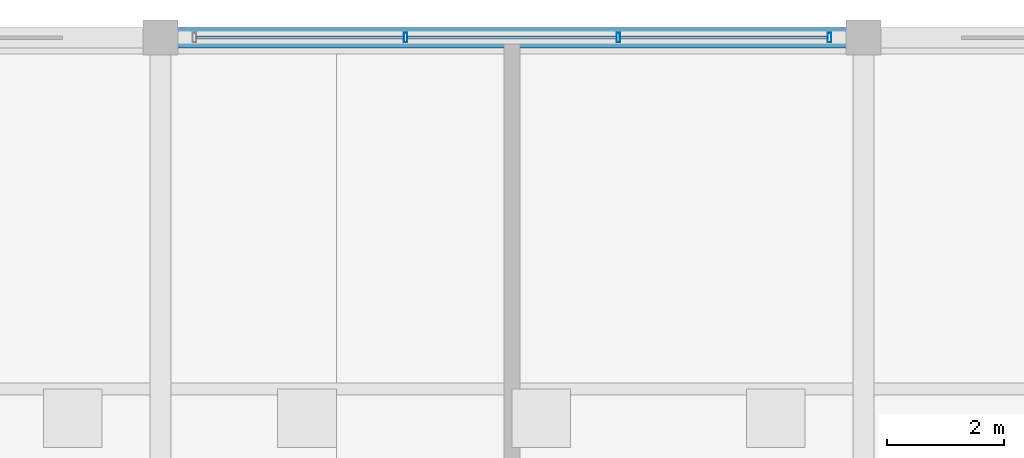
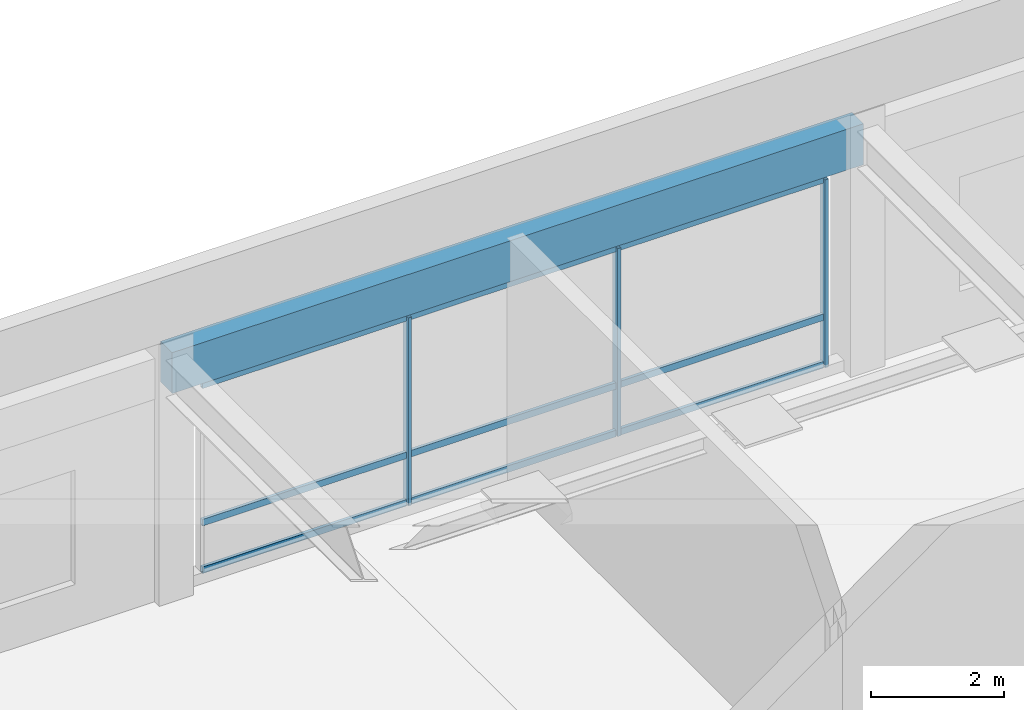
# One storey, part 11 of 16: 12 members, 1 beam, 1 element without a shape of its own.
"""IFC4 building model written with IfcOpenShell, lengths in metres."""

from ifc_helpers import new_model, si_unit, direction, frame, origin, origin_2d, place, context, subcontext, project, spatial, rectangle, hollow_rectangle, extrude, material, material_profile, profile_set, type_object, element, aggregate, save


model = new_model("IFC4")

# Units and contexts
model_context = context("Model", 3, precision=1e-05, world=origin(), true_north=direction((0.0, 1.0)))
body_context = subcontext(model_context, "Body", "Model", "MODEL_VIEW")
ifc_project = project(units=[si_unit("LENGTHUNIT", "METRE"), si_unit("AREAUNIT", "SQUARE_METRE"), si_unit("VOLUMEUNIT", "CUBIC_METRE"), si_unit("PLANEANGLEUNIT", "RADIAN"), si_unit("MASSUNIT", "GRAM", prefix="KILO")], contexts=[model_context])

# Site, building, storey
site_placement = place(None, origin())
site = spatial("IfcSite", under=ifc_project, at=site_placement, CompositionType="ELEMENT")
building_placement = place(site_placement, origin())
building = spatial("IfcBuilding", under=site, at=building_placement, Name="Kaldorvane Square Convention Centre", CompositionType="ELEMENT")
storey_placement = place(building_placement, frame((0.0, 0.0, 70.80000305175781)))
storey = spatial("IfcBuildingStorey", under=building, at=storey_placement, Name="L17", CompositionType="ELEMENT", Elevation=70.80000305175781)

# Beam
ifc_material_1 = material(Name="Concrete f'c = 42 MPa (Normalweight)", Category="concrete")
ifc_material_profile_1 = material_profile(ifc_material_1, rectangle(XDim=0.350006103515625, YDim=0.75, at=origin_2d()), Name="RCSP750X350")
ifc_profile_set_1 = profile_set([ifc_material_profile_1], Name="Concrete f'c = 42 MPa (Normalweight)")
beam_type = type_object("IfcBeamType", Name="BM-SP-RC750", PredefinedType="SPANDREL", material=ifc_profile_set_1)
beam_placement = place(storey_placement, frame((54.0, 117.0, 4.1009979248046875), z_axis=(1.0, 0.0, 0.0), x_axis=(0.0, 1.0, 0.0)))
element("IfcBeam", 1, at=beam_placement, inside=storey, type_object=beam_type, Name="Perimeter Spandrel (L17)", PredefinedType="SPANDREL", context=body_context, shape_type="SweptSolid", body=[
    extrude(rectangle(XDim=0.350006103515625, YDim=0.75, at=origin_2d()), origin(), (0.0, 0.0, 1.0), 12.0),
])

# Curtain wall, members
ifc_material_2 = material(Name="Anodized Aluminum and Low-E Insulated Glazing", Category="aluminium")
curtain_wall_type = type_object("IfcCurtainWallType", Name="CW-UNI-PNT-12", PredefinedType="USERDEFINED", material=ifc_material_2)
curtain_wall_placement = place(storey_placement, origin())
curtain_wall = element("IfcCurtainWall", 2, at=curtain_wall_placement, inside=storey, type_object=curtain_wall_type, Name="Curtain Wall CW-12 (L17)", ObjectType="UNITISED GLAZING", PredefinedType="USERDEFINED")
ifc_material_profile_2 = material_profile(ifc_material_2, hollow_rectangle(XDim=0.05999755859375, YDim=0.160003662109375, WallThickness=0.003204345703125, at=origin_2d()), Name="CWM-160X60")
ifc_profile_set_2 = profile_set([ifc_material_profile_2], Name="Anodized Aluminum and Low-E Insulated Glazing")
member_type_1 = type_object("IfcMemberType", Name="CW-MUL-160", PredefinedType="MULLION", material=ifc_profile_set_2)
member_1_placement = place(storey_placement, frame((65.41999816894531, 117.0, 0.149993896484375), z_axis=(0.0, 0.0, 1.0), x_axis=(-1.0, 0.0, 0.0)))
member_1 = element("IfcMember", 3, at=member_1_placement, type_object=member_type_1, Name="CW-12 mullion 1", PredefinedType="MULLION", context=body_context, shape_type="SweptSolid", body=[
    extrude(hollow_rectangle(XDim=0.05999755859375, YDim=0.160003662109375, WallThickness=0.003204345703125, at=origin_2d()), origin(), (0.0, 0.0, 1.0), 3.4499969482421875),
])
member_2_placement = place(storey_placement, frame((61.81666564941406, 117.0, 0.149993896484375), z_axis=(0.0, 0.0, 1.0), x_axis=(-1.0, 0.0, 0.0)))
member_2 = element("IfcMember", 4, at=member_2_placement, type_object=member_type_1, Name="CW-12 mullion 2", PredefinedType="MULLION", context=body_context, shape_type="SweptSolid", body=[
    extrude(hollow_rectangle(XDim=0.05999755859375, YDim=0.160003662109375, WallThickness=0.003204345703125, at=origin_2d()), origin(), (0.0, 0.0, 1.0), 3.4499969482421875),
])
member_3_placement = place(storey_placement, frame((58.18333435058594, 117.0, 0.149993896484375), z_axis=(0.0, 0.0, 1.0), x_axis=(-1.0, 0.0, 0.0)))
member_3 = element("IfcMember", 5, at=member_3_placement, type_object=member_type_1, Name="CW-12 mullion 3", PredefinedType="MULLION", context=body_context, shape_type="SweptSolid", body=[
    extrude(hollow_rectangle(XDim=0.05999755859375, YDim=0.160003662109375, WallThickness=0.003204345703125, at=origin_2d()), origin(), (0.0, 0.0, 1.0), 3.4499969482421875),
])
ifc_material_profile_3 = material_profile(ifc_material_2, hollow_rectangle(XDim=0.05499267578125, YDim=0.1199951171875, WallThickness=0.0030059814453125, at=origin_2d()), Name="CWT-120X55")
ifc_profile_set_3 = profile_set([ifc_material_profile_3], Name="Anodized Aluminum and Low-E Insulated Glazing")
member_type_2 = type_object("IfcMemberType", Name="CW-TRN-120", PredefinedType="USERDEFINED", material=ifc_profile_set_3)
member_4_placement = place(storey_placement, frame((65.38999938964844, 117.0, 0.177490234375), z_axis=(-1.0, 0.0, 0.0), x_axis=(0.0, -1.0, 0.0)))
member_4 = element("IfcMember", 6, at=member_4_placement, type_object=member_type_2, Name="CW-12 transom 1.1", ObjectType="TRANSOM", PredefinedType="USERDEFINED", context=body_context, shape_type="SweptSolid", body=[
    extrude(hollow_rectangle(XDim=0.05499267578125, YDim=0.1199951171875, WallThickness=0.0030059814453125, at=origin_2d()), origin(), (0.0, 0.0, 1.0), 3.5433349609375),
])
member_5_placement = place(storey_placement, frame((65.38999938964844, 117.0, 1.0500030517578125), z_axis=(-1.0, 0.0, 0.0), x_axis=(0.0, -1.0, 0.0)))
member_5 = element("IfcMember", 7, at=member_5_placement, type_object=member_type_2, Name="CW-12 transom 1.2", ObjectType="TRANSOM", PredefinedType="USERDEFINED", context=body_context, shape_type="SweptSolid", body=[
    extrude(hollow_rectangle(XDim=0.05499267578125, YDim=0.1199951171875, WallThickness=0.0030059814453125, at=origin_2d()), origin(), (0.0, 0.0, 1.0), 3.5433349609375),
])
member_6_placement = place(storey_placement, frame((65.38999938964844, 117.0, 3.5724945068359375), z_axis=(-1.0, 0.0, 0.0), x_axis=(0.0, -1.0, 0.0)))
member_6 = element("IfcMember", 8, at=member_6_placement, type_object=member_type_2, Name="CW-12 transom 1.3", ObjectType="TRANSOM", PredefinedType="USERDEFINED", context=body_context, shape_type="SweptSolid", body=[
    extrude(hollow_rectangle(XDim=0.05499267578125, YDim=0.1199951171875, WallThickness=0.0030059814453125, at=origin_2d()), origin(), (0.0, 0.0, 1.0), 3.5433349609375),
])
member_7_placement = place(storey_placement, frame((61.78666687011719, 117.0, 0.177490234375), z_axis=(-1.0, 0.0, 0.0), x_axis=(0.0, -1.0, 0.0)))
member_7 = element("IfcMember", 9, at=member_7_placement, type_object=member_type_2, Name="CW-12 transom 2.1", ObjectType="TRANSOM", PredefinedType="USERDEFINED", context=body_context, shape_type="SweptSolid", body=[
    extrude(hollow_rectangle(XDim=0.05499267578125, YDim=0.1199951171875, WallThickness=0.0030059814453125, at=origin_2d()), origin(), (0.0, 0.0, 1.0), 3.573333740234375),
])
member_8_placement = place(storey_placement, frame((61.78666687011719, 117.0, 1.0500030517578125), z_axis=(-1.0, 0.0, 0.0), x_axis=(0.0, -1.0, 0.0)))
member_8 = element("IfcMember", 10, at=member_8_placement, type_object=member_type_2, Name="CW-12 transom 2.2", ObjectType="TRANSOM", PredefinedType="USERDEFINED", context=body_context, shape_type="SweptSolid", body=[
    extrude(hollow_rectangle(XDim=0.05499267578125, YDim=0.1199951171875, WallThickness=0.0030059814453125, at=origin_2d()), origin(), (0.0, 0.0, 1.0), 3.573333740234375),
])
member_9_placement = place(storey_placement, frame((61.78666687011719, 117.0, 3.5724945068359375), z_axis=(-1.0, 0.0, 0.0), x_axis=(0.0, -1.0, 0.0)))
member_9 = element("IfcMember", 11, at=member_9_placement, type_object=member_type_2, Name="CW-12 transom 2.3", ObjectType="TRANSOM", PredefinedType="USERDEFINED", context=body_context, shape_type="SweptSolid", body=[
    extrude(hollow_rectangle(XDim=0.05499267578125, YDim=0.1199951171875, WallThickness=0.0030059814453125, at=origin_2d()), origin(), (0.0, 0.0, 1.0), 3.573333740234375),
])
member_10_placement = place(storey_placement, frame((58.15333557128906, 117.0, 0.177490234375), z_axis=(-1.0, 0.0, 0.0), x_axis=(0.0, -1.0, 0.0)))
member_10 = element("IfcMember", 12, at=member_10_placement, type_object=member_type_2, Name="CW-12 transom 3.1", ObjectType="TRANSOM", PredefinedType="USERDEFINED", context=body_context, shape_type="SweptSolid", body=[
    extrude(hollow_rectangle(XDim=0.05499267578125, YDim=0.1199951171875, WallThickness=0.0030059814453125, at=origin_2d()), origin(), (0.0, 0.0, 1.0), 3.5433349609375),
])
member_11_placement = place(storey_placement, frame((58.15333557128906, 117.0, 1.0500030517578125), z_axis=(-1.0, 0.0, 0.0), x_axis=(0.0, -1.0, 0.0)))
member_11 = element("IfcMember", 13, at=member_11_placement, type_object=member_type_2, Name="CW-12 transom 3.2", ObjectType="TRANSOM", PredefinedType="USERDEFINED", context=body_context, shape_type="SweptSolid", body=[
    extrude(hollow_rectangle(XDim=0.05499267578125, YDim=0.1199951171875, WallThickness=0.0030059814453125, at=origin_2d()), origin(), (0.0, 0.0, 1.0), 3.5433349609375),
])
member_12_placement = place(storey_placement, frame((58.15333557128906, 117.0, 3.5724945068359375), z_axis=(-1.0, 0.0, 0.0), x_axis=(0.0, -1.0, 0.0)))
member_12 = element("IfcMember", 14, at=member_12_placement, type_object=member_type_2, Name="CW-12 transom 3.3", ObjectType="TRANSOM", PredefinedType="USERDEFINED", context=body_context, shape_type="SweptSolid", body=[
    extrude(hollow_rectangle(XDim=0.05499267578125, YDim=0.1199951171875, WallThickness=0.0030059814453125, at=origin_2d()), origin(), (0.0, 0.0, 1.0), 3.5433349609375),
])
aggregate(curtain_wall, [member_1, member_2, member_3, member_4, member_5, member_6, member_7, member_8, member_9, member_10, member_11, member_12])

save(model, "model.ifc")
